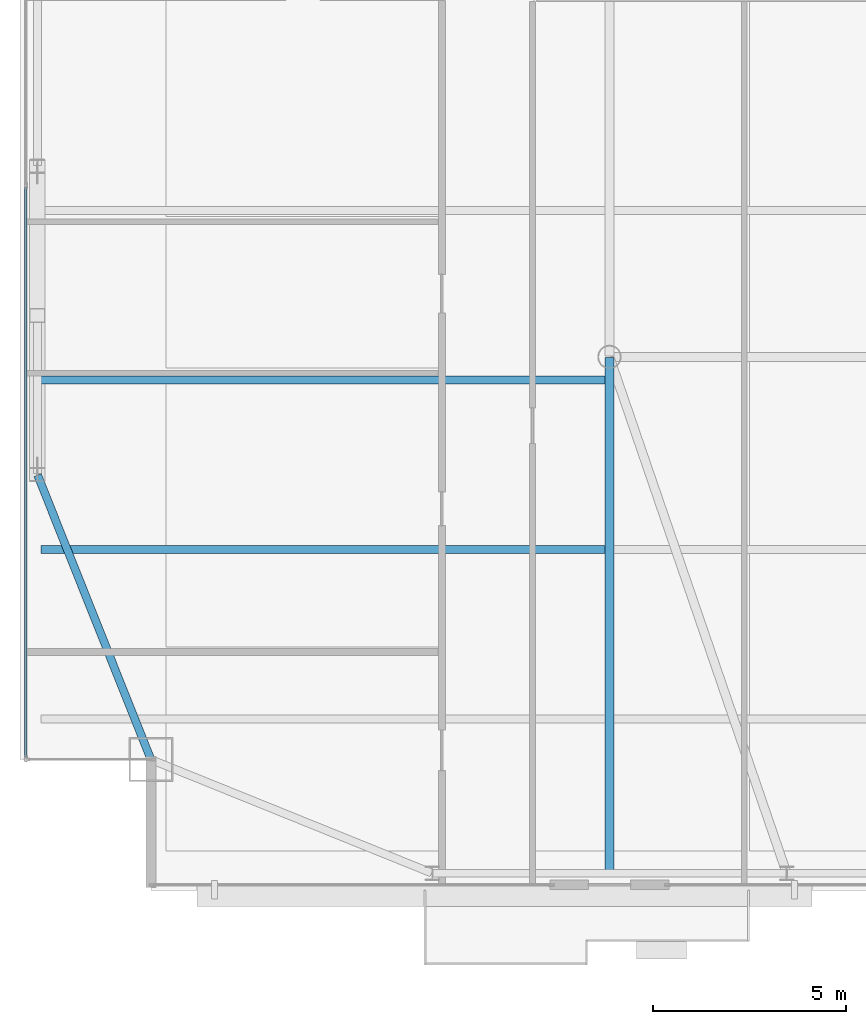
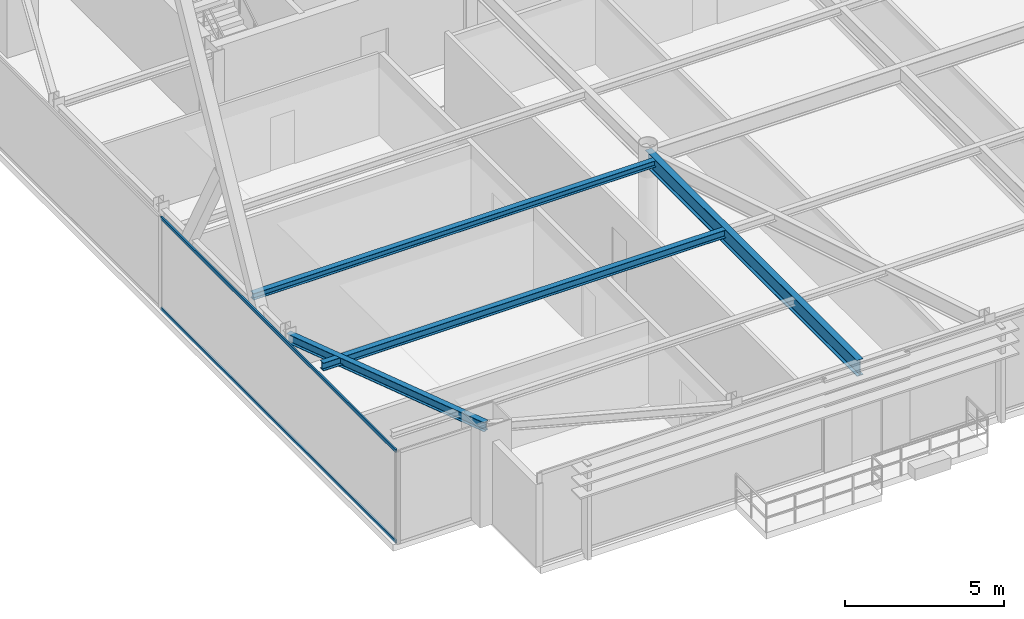
# One storey, part 7 of 31: 4 beams, 2 members, 1 element without a shape of its own.
"""IFC4 building model written with IfcOpenShell, lengths in metres."""

from ifc_helpers import new_model, si_unit, direction, frame, origin, origin_2d, place, context, subcontext, project, spatial, hollow_rectangle, i_section, extrude, source, transform, mapped, material, layer, layer_set, material_profile, profile_set, type_object, type_shapes, element, aggregate, save


model = new_model("IFC4")

# Units and contexts
model_context = context("Model", 3, precision=1e-05, world=origin(), true_north=direction((0.0, 1.0)))
body_context = subcontext(model_context, "Body", "Model", "MODEL_VIEW")
ifc_project = project(units=[si_unit("LENGTHUNIT", "METRE"), si_unit("AREAUNIT", "SQUARE_METRE"), si_unit("VOLUMEUNIT", "CUBIC_METRE"), si_unit("PLANEANGLEUNIT", "RADIAN"), si_unit("MASSUNIT", "GRAM", prefix="KILO")], contexts=[model_context])

# Site, building, storey
site_placement = place(None, origin())
site = spatial("IfcSite", under=ifc_project, at=site_placement, CompositionType="ELEMENT")
building_placement = place(site_placement, origin())
building = spatial("IfcBuilding", under=site, at=building_placement, Name="Varnel Quay Broadcast Tower", CompositionType="ELEMENT")
storey_placement = place(building_placement, frame((0.0, 0.0, 215.0)))
storey = spatial("IfcBuildingStorey", under=building, at=storey_placement, Name="L53", CompositionType="ELEMENT", Elevation=215.0)

# Beams
ifc_material_1 = material(Name="Structural Steel CSA G40.21 350W", Category="steel")
ifc_material_profile_1 = material_profile(ifc_material_1, i_section(OverallWidth=0.205078125, OverallDepth=0.35400390625, WebThickness=0.009521484375, FlangeThickness=0.016845703125, FilletRadius=0.012939453125, at=origin_2d()), Name="W360X79")
ifc_profile_set_1 = profile_set([ifc_material_profile_1], Name="Structural Steel CSA G40.21 350W")
beam_type_1 = type_object("IfcBeamType", Name="Beam_W360X79", PredefinedType="SPANDREL", material=ifc_profile_set_1)
shared_shape_1 = source(origin(), body_context, "Body", "SweptSolid", [
    extrude(i_section(OverallWidth=0.205078125, OverallDepth=0.35400390625, WebThickness=0.009521484375, FlangeThickness=0.016845703125, FilletRadius=0.012939453125, at=origin_2d()), origin(), (0.0, 0.0, 1.0), 7.92626953125),
])
type_shapes(beam_type_1, [shared_shape_1])
beam_1_placement = place(storey_placement, frame((12.892578125, 13.61865234375, 3.373046875), z_axis=(-0.370296431883, 0.928913641053, 0.0), x_axis=(-0.928913641053, -0.370296431883, 0.0)))
element("IfcBeam", 1, at=beam_1_placement, inside=storey, type_object=beam_type_1, Name="L53 West Spandrel MC-SW-TC-W1", PredefinedType="SPANDREL", context=body_context, shape_type="MappedRepresentation", body=[
    mapped(shared_shape_1, transform((0.0, 0.0, 0.0), x_axis=(1.0, 0.0, 0.0), y_axis=(0.0, 1.0, 0.0), z_axis=(0.0, 0.0, 1.0), scale=1.0)),
])
ifc_material_profile_2 = material_profile(ifc_material_1, i_section(OverallWidth=0.22998046875, OverallDepth=0.616943359375, WebThickness=0.01318359375, FlangeThickness=0.022216796875, FilletRadius=0.01611328125, at=origin_2d()), Name="W610X140")
ifc_profile_set_2 = profile_set([ifc_material_profile_2], Name="Structural Steel CSA G40.21 350W")
beam_type_2 = type_object("IfcBeamType", Name="Girder_W610X140", PredefinedType="BEAM", material=ifc_profile_set_2)
shared_shape_2 = source(origin(), body_context, "Body", "SweptSolid", [
    extrude(i_section(OverallWidth=0.22998046875, OverallDepth=0.616943359375, WebThickness=0.01318359375, FlangeThickness=0.022216796875, FilletRadius=0.01611328125, at=origin_2d()), origin(), (0.0, 0.0, 1.0), 13.360107421875),
])
type_shapes(beam_type_2, [shared_shape_2])
beam_2_placement = place(storey_placement, frame((24.800048828125, 10.669921875, 3.241455078125), z_axis=(0.0, 1.0, 0.0), x_axis=(-1.0, 0.0, 0.0)))
element("IfcBeam", 2, at=beam_2_placement, inside=storey, type_object=beam_type_2, Name="L53 N-S Joist Header IC-01S", PredefinedType="BEAM", context=body_context, shape_type="MappedRepresentation", body=[
    mapped(shared_shape_2, transform((0.0, 0.0, 0.0), x_axis=(1.0, 0.0, 0.0), y_axis=(0.0, 1.0, 0.0), z_axis=(0.0, 0.0, 1.0), scale=1.0)),
])
ifc_material_profile_3 = material_profile(ifc_material_1, i_section(OverallWidth=0.201904296875, OverallDepth=0.2470703125, WebThickness=0.00732421875, FlangeThickness=0.010986328125, FilletRadius=0.010986328125, at=origin_2d()), Name="W250X49")
ifc_profile_set_3 = profile_set([ifc_material_profile_3], Name="Structural Steel CSA G40.21 350W")
beam_type_3 = type_object("IfcBeamType", Name="Beam_W250X49", PredefinedType="JOIST", material=ifc_profile_set_3)
shared_shape_3 = source(origin(), body_context, "Body", "SweptSolid", [
    extrude(i_section(OverallWidth=0.201904296875, OverallDepth=0.2470703125, WebThickness=0.00732421875, FlangeThickness=0.010986328125, FilletRadius=0.010986328125, at=origin_2d()), origin(), (0.0, 0.0, 1.0), 14.642333984375),
])
type_shapes(beam_type_3, [shared_shape_3])
beam_3_placement = place(storey_placement, frame((10.047607421875, 23.449951171875, 3.426513671875), z_axis=(1.0, 0.0, 0.0), x_axis=(0.0, 1.0, 0.0)))
element("IfcBeam", 3, at=beam_3_placement, inside=storey, type_object=beam_type_3, Name="L53 West Floor Joist 3", PredefinedType="JOIST", context=body_context, shape_type="MappedRepresentation", body=[
    mapped(shared_shape_3, transform((0.0, 0.0, 0.0), x_axis=(1.0, 0.0, 0.0), y_axis=(0.0, 1.0, 0.0), z_axis=(0.0, 0.0, 1.0), scale=1.0)),
])
ifc_material_profile_4 = material_profile(ifc_material_1, i_section(OverallWidth=0.202880859375, OverallDepth=0.302978515625, WebThickness=0.007568359375, FlangeThickness=0.01318359375, FilletRadius=0.011962890625, at=origin_2d()), Name="W310X60")
ifc_profile_set_4 = profile_set([ifc_material_profile_4], Name="Structural Steel CSA G40.21 350W")
beam_type_4 = type_object("IfcBeamType", Name="Beam_W310X60", PredefinedType="JOIST", material=ifc_profile_set_4)
shared_shape_4 = source(origin(), body_context, "Body", "SweptSolid", [
    extrude(i_section(OverallWidth=0.202880859375, OverallDepth=0.302978515625, WebThickness=0.007568359375, FlangeThickness=0.01318359375, FilletRadius=0.011962890625, at=origin_2d()), origin(), (0.0, 0.0, 1.0), 14.642333984375),
])
type_shapes(beam_type_4, [shared_shape_4])
beam_4_placement = place(storey_placement, frame((10.047607421875, 19.050048828125, 3.3984375), z_axis=(1.0, 0.0, 0.0), x_axis=(0.0, 1.0, 0.0)))
element("IfcBeam", 4, at=beam_4_placement, inside=storey, type_object=beam_type_4, Name="L53 West Floor Joist 2", PredefinedType="JOIST", context=body_context, shape_type="MappedRepresentation", body=[
    mapped(shared_shape_4, transform((0.0, 0.0, 0.0), x_axis=(1.0, 0.0, 0.0), y_axis=(0.0, 1.0, 0.0), z_axis=(0.0, 0.0, 1.0), scale=1.0)),
])

# Curtain wall, members
ifc_material_2 = material(Name="Anodised Bronze Aluminium 6063-T6", Category="aluminium")
ifc_layer = layer(ifc_material_2, 0.18994140625, Name="Anodised Bronze Aluminium 6063-T6")
ifc_layer_set = layer_set([ifc_layer], Name="Anodised Bronze Aluminium 6063-T6")
curtain_wall_type = type_object("IfcCurtainWallType", Name="CW_UpperTower", PredefinedType="NOTDEFINED", material=ifc_layer_set)
curtain_wall_placement = place(storey_placement, origin())
curtain_wall = element("IfcCurtainWall", 5, at=curtain_wall_placement, inside=storey, type_object=curtain_wall_type, Name="L53 West Unitised Curtain Wall", PredefinedType="NOTDEFINED")
ifc_material_profile_5 = material_profile(ifc_material_2, hollow_rectangle(XDim=0.06005859375, YDim=0.125, WallThickness=0.0029296875, at=origin_2d()), Name="ALU60X125X3")
ifc_profile_set_5 = profile_set([ifc_material_profile_5], Name="Anodised Bronze Aluminium 6063-T6")
member_type = type_object("IfcMemberType", Name="Tran_CWS-03", PredefinedType="USERDEFINED", material=ifc_profile_set_5)
shared_shape_5 = source(origin(), body_context, "Body", "SweptSolid", [
    extrude(hollow_rectangle(XDim=0.06005859375, YDim=0.125, WallThickness=0.0029296875, at=origin_2d()), origin(), (0.0, 0.0, 1.0), 14.802490234375),
])
type_shapes(member_type, [shared_shape_5])
member_1_placement = place(storey_placement, frame((9.64990234375, 13.6650390625, 0.030029296875), z_axis=(0.0, 1.0, 0.0), x_axis=(-1.0, 0.0, 0.0)))
member_1 = element("IfcMember", 6, at=member_1_placement, type_object=member_type, Name="CWS-03 transom 1.1", ObjectType="TRANSOM", PredefinedType="USERDEFINED", context=body_context, shape_type="MappedRepresentation", body=[
    mapped(shared_shape_5, transform((0.0, 0.0, 0.0), x_axis=(1.0, 0.0, 0.0), y_axis=(0.0, 1.0, 0.0), z_axis=(0.0, 0.0, 1.0), scale=1.0)),
])
member_2_placement = place(storey_placement, frame((9.64990234375, 13.6650390625, 3.52001953125), z_axis=(0.0, 1.0, 0.0), x_axis=(-1.0, 0.0, 0.0)))
member_2 = element("IfcMember", 7, at=member_2_placement, type_object=member_type, Name="CWS-03 transom 1.2", ObjectType="TRANSOM", PredefinedType="USERDEFINED", context=body_context, shape_type="MappedRepresentation", body=[
    mapped(shared_shape_5, transform((0.0, 0.0, 0.0), x_axis=(1.0, 0.0, 0.0), y_axis=(0.0, 1.0, 0.0), z_axis=(0.0, 0.0, 1.0), scale=1.0)),
])
aggregate(curtain_wall, [member_1, member_2])

save(model, "model.ifc")
